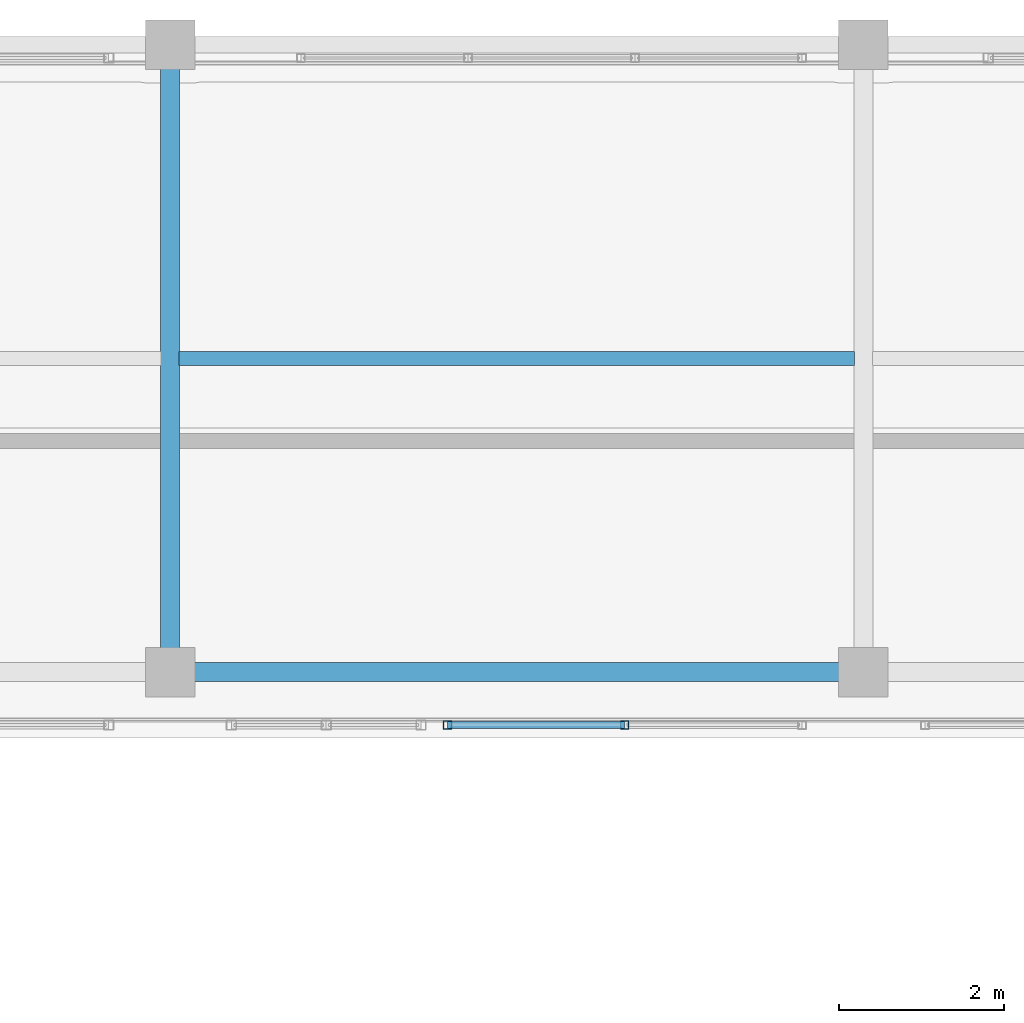
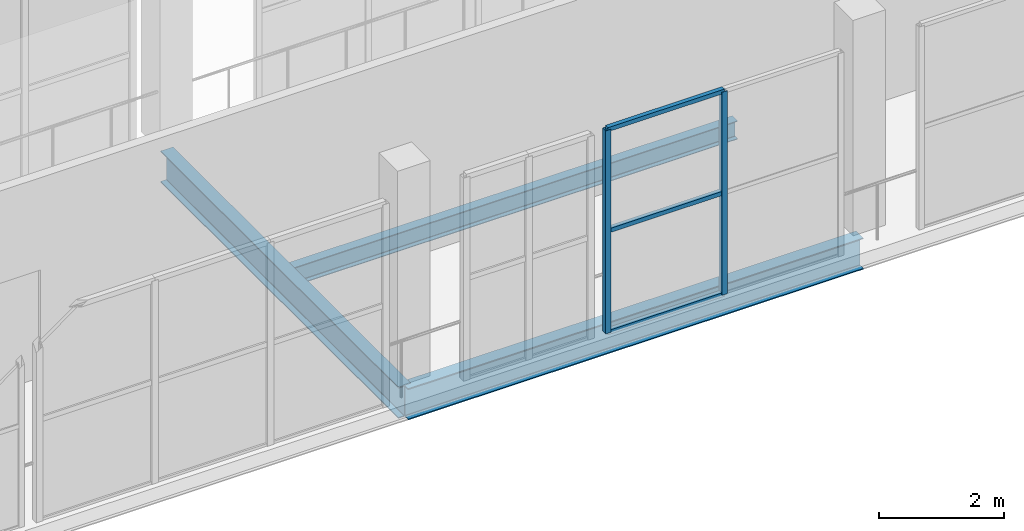
# One storey, part 64 of 151: 5 members, 3 beams, 1 element without a shape of its own.
"""IFC4 building model written with IfcOpenShell, lengths in metres."""

from ifc_helpers import new_model, si_unit, direction, frame, origin, origin_2d, place, context, subcontext, project, spatial, hollow_rectangle, i_section, extrude, material, material_profile, profile_set, type_object, element, aggregate, save


model = new_model("IFC4")

# Units and contexts
model_context = context("Model", 3, precision=1e-05, world=origin(), true_north=direction((0.0, 1.0)))
body_context = subcontext(model_context, "Body", "Model", "MODEL_VIEW")
ifc_project = project(units=[si_unit("LENGTHUNIT", "METRE"), si_unit("AREAUNIT", "SQUARE_METRE"), si_unit("VOLUMEUNIT", "CUBIC_METRE"), si_unit("PLANEANGLEUNIT", "RADIAN"), si_unit("MASSUNIT", "GRAM", prefix="KILO")], contexts=[model_context])

# Site, building, storey
site_placement = place(None, origin())
site = spatial("IfcSite", under=ifc_project, at=site_placement, CompositionType="ELEMENT")
building_placement = place(site_placement, origin())
building = spatial("IfcBuilding", under=site, at=building_placement, Name="Zuvorla Pavilion Media Centre", CompositionType="ELEMENT")
storey_placement = place(building_placement, frame((0.0, 0.0, 13.800048828125)))
storey = spatial("IfcBuildingStorey", under=building, at=storey_placement, Name="L03", CompositionType="ELEMENT", Elevation=13.800048828125)

# Beams
ifc_material_1 = material(Name="Steel S355", Category="steel")
ifc_material_profile_1 = material_profile(ifc_material_1, i_section(OverallWidth=0.172119140625, OverallDepth=0.35791015625, WebThickness=0.008056640625, FlangeThickness=0.012939453125, FilletRadius=0.01025390625, at=origin_2d()), Name="UB 356x171x57")
ifc_profile_set_1 = profile_set([ifc_material_profile_1], Name="Steel S355")
beam_type_1 = type_object("IfcBeamType", Name="BM-UB356", PredefinedType="JOIST", material=ifc_profile_set_1)
beam_1_placement = place(storey_placement, frame((66.909423828125, 85.800048828125, -0.43701171875), z_axis=(1.0, 0.0, 0.0), x_axis=(0.0, 1.0, 0.0)))
element("IfcBeam", 1, at=beam_1_placement, inside=storey, type_object=beam_type_1, Name="L03 joist J03 1262", PredefinedType="JOIST", context=body_context, shape_type="SweptSolid", body=[
    extrude(i_section(OverallWidth=0.172119140625, OverallDepth=0.35791015625, WebThickness=0.008056640625, FlangeThickness=0.012939453125, FilletRadius=0.01025390625, at=origin_2d()), origin(), (0.0, 0.0, 1.0), 8.18115234375),
])
ifc_material_profile_2 = material_profile(ifc_material_1, i_section(OverallWidth=0.22900390625, OverallDepth=0.6123046875, WebThickness=0.011962890625, FlangeThickness=0.01953125, FilletRadius=0.0126953125, at=origin_2d()), Name="UB 610x229x125")
ifc_profile_set_2 = profile_set([ifc_material_profile_2], Name="Steel S355")
beam_type_2 = type_object("IfcBeamType", Name="BM-UB610", PredefinedType="BEAM", material=ifc_profile_set_2)
beam_2_placement = place(storey_placement, frame((66.800048828125, 82.0, -0.564208984375), z_axis=(1.0, 0.0, 0.0), x_axis=(0.0, 1.0, 0.0)))
element("IfcBeam", 2, at=beam_2_placement, inside=storey, type_object=beam_type_2, Name="L03 beam B07 1121", PredefinedType="BEAM", context=body_context, shape_type="SweptSolid", body=[
    extrude(i_section(OverallWidth=0.22900390625, OverallDepth=0.6123046875, WebThickness=0.011962890625, FlangeThickness=0.01953125, FilletRadius=0.0126953125, at=origin_2d()), origin(), (0.0, 0.0, 1.0), 8.39990234375),
])
beam_3_placement = place(storey_placement, frame((66.800048828125, 82.0, -0.564208984375), z_axis=(0.0, 1.0, 0.0), x_axis=(-1.0, 0.0, 0.0)))
element("IfcBeam", 3, at=beam_3_placement, inside=storey, type_object=beam_type_2, Name="L03 beam B07 1186", PredefinedType="BEAM", context=body_context, shape_type="SweptSolid", body=[
    extrude(i_section(OverallWidth=0.22900390625, OverallDepth=0.6123046875, WebThickness=0.011962890625, FlangeThickness=0.01953125, FilletRadius=0.0126953125, at=origin_2d()), origin(), (0.0, 0.0, 1.0), 7.60009765625),
])

# Curtain wall, members
ifc_material_2 = material(Name="Unitised anodised aluminium and solar glass curtain wall", Category="aluminium")
curtain_wall_type = type_object("IfcCurtainWallType", Name="CW-SYS-42", PredefinedType="USERDEFINED", material=ifc_material_2)
curtain_wall_placement = place(storey_placement, origin())
curtain_wall = element("IfcCurtainWall", 4, at=curtain_wall_placement, inside=storey, type_object=curtain_wall_type, Name="L03 curtain wall CW42 163", ObjectType="CURTAIN WALL", PredefinedType="USERDEFINED")
ifc_material_3 = material(Name="Anodised aluminium 6063-T6", Category="aluminium")
ifc_material_profile_3 = material_profile(ifc_material_3, hollow_rectangle(XDim=0.10009765625, YDim=0.10009765625, WallThickness=0.00439453125, at=origin_2d()), Name="ALU MULL 100x100")
ifc_profile_set_3 = profile_set([ifc_material_profile_3], Name="Anodised aluminium 6063-T6")
member_type_1 = type_object("IfcMemberType", Name="CW-MULL-100", PredefinedType="MULLION", material=ifc_profile_set_3)
member_1_placement = place(storey_placement, frame((72.307861328125, 81.360107421875, 0.0), z_axis=(0.0, 0.0, 1.0), x_axis=(1.0, 0.0, 0.0)))
member_1 = element("IfcMember", 5, at=member_1_placement, type_object=member_type_1, Name="CW42 mullion 2", PredefinedType="MULLION", context=body_context, shape_type="SweptSolid", body=[
    extrude(hollow_rectangle(XDim=0.10009765625, YDim=0.10009765625, WallThickness=0.00439453125, at=origin_2d()), origin(), (0.0, 0.0, 1.0), 3.9599609375),
])
member_2_placement = place(storey_placement, frame((70.159912109375, 81.360107421875, 0.0), z_axis=(0.0, 0.0, 1.0), x_axis=(1.0, 0.0, 0.0)))
member_2 = element("IfcMember", 6, at=member_2_placement, type_object=member_type_1, Name="CW42 mullion 3", PredefinedType="MULLION", context=body_context, shape_type="SweptSolid", body=[
    extrude(hollow_rectangle(XDim=0.10009765625, YDim=0.10009765625, WallThickness=0.00439453125, at=origin_2d()), origin(), (0.0, 0.0, 1.0), 3.9599609375),
])
ifc_material_profile_4 = material_profile(ifc_material_3, hollow_rectangle(XDim=0.080078125, YDim=0.080078125, WallThickness=0.00390625, at=origin_2d()), Name="ALU TRAN 80x80")
ifc_profile_set_4 = profile_set([ifc_material_profile_4], Name="Anodised aluminium 6063-T6")
member_type_2 = type_object("IfcMemberType", Name="CW-TRAN-80", PredefinedType="USERDEFINED", material=ifc_profile_set_4)
member_3_placement = place(storey_placement, frame((72.307861328125, 81.360107421875, 0.0), z_axis=(-1.0, 0.0, 0.0), x_axis=(0.0, -1.0, 0.0)))
member_3 = element("IfcMember", 7, at=member_3_placement, type_object=member_type_2, Name="CW42 transom 2.1", ObjectType="TRANSOM", PredefinedType="USERDEFINED", context=body_context, shape_type="SweptSolid", body=[
    extrude(hollow_rectangle(XDim=0.080078125, YDim=0.080078125, WallThickness=0.00390625, at=origin_2d()), origin(), (0.0, 0.0, 1.0), 2.14794921875),
])
member_4_placement = place(storey_placement, frame((72.307861328125, 81.360107421875, 1.97998046875), z_axis=(-1.0, 0.0, 0.0), x_axis=(0.0, -1.0, 0.0)))
member_4 = element("IfcMember", 8, at=member_4_placement, type_object=member_type_2, Name="CW42 transom 2.2", ObjectType="TRANSOM", PredefinedType="USERDEFINED", context=body_context, shape_type="SweptSolid", body=[
    extrude(hollow_rectangle(XDim=0.080078125, YDim=0.080078125, WallThickness=0.00390625, at=origin_2d()), origin(), (0.0, 0.0, 1.0), 2.14794921875),
])
member_5_placement = place(storey_placement, frame((72.307861328125, 81.360107421875, 3.9599609375), z_axis=(-1.0, 0.0, 0.0), x_axis=(0.0, -1.0, 0.0)))
member_5 = element("IfcMember", 9, at=member_5_placement, type_object=member_type_2, Name="CW42 transom 2.3", ObjectType="TRANSOM", PredefinedType="USERDEFINED", context=body_context, shape_type="SweptSolid", body=[
    extrude(hollow_rectangle(XDim=0.080078125, YDim=0.080078125, WallThickness=0.00390625, at=origin_2d()), origin(), (0.0, 0.0, 1.0), 2.14794921875),
])
aggregate(curtain_wall, [member_1, member_2, member_3, member_4, member_5])

save(model, "model.ifc")
